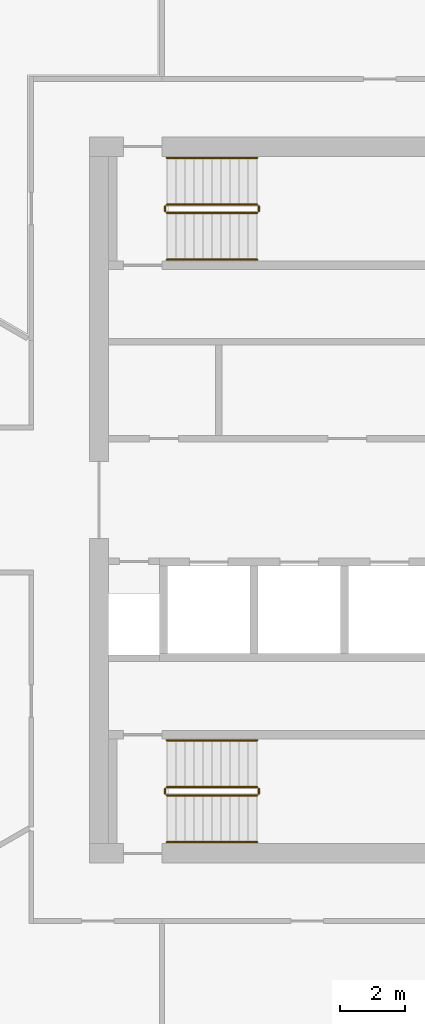
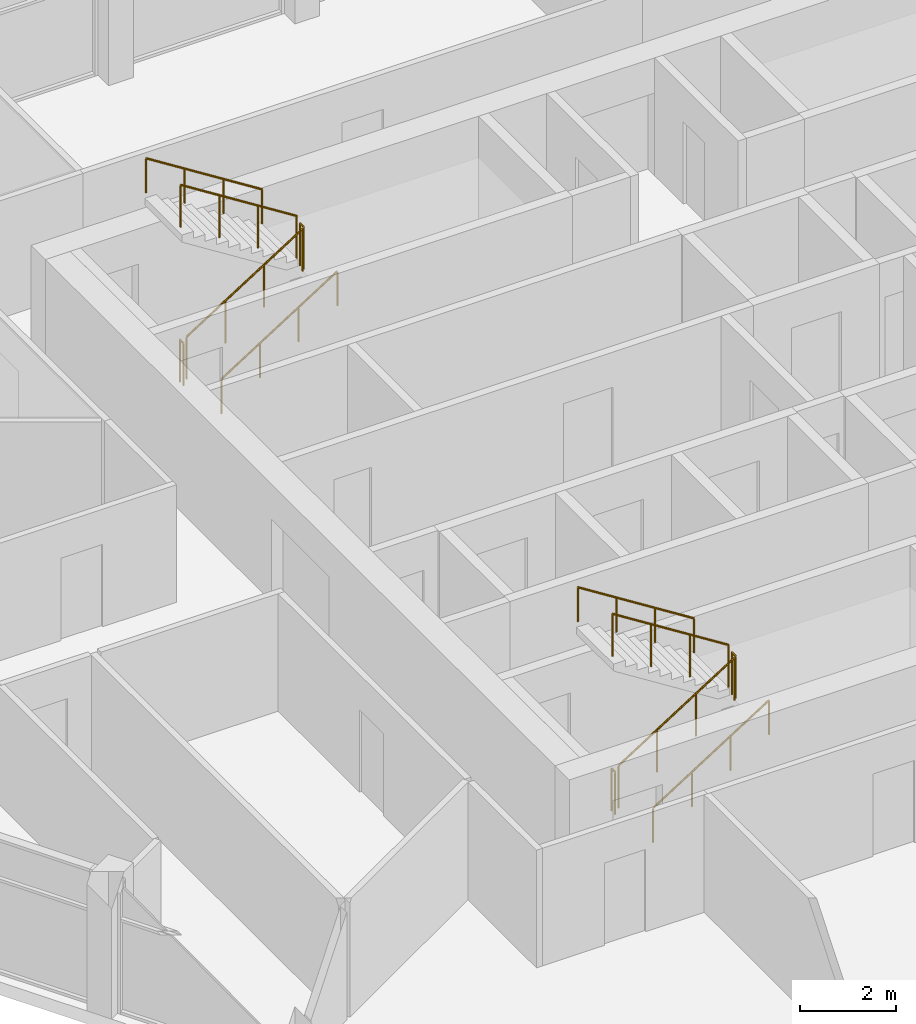
# One storey, part 13 of 15: 12 railings.
"""IFC4 building model written with IfcOpenShell, lengths in metres."""

import ifcopenshell
import ifcopenshell.guid

model = None  # the IFC model being written
_history = None  # IfcOwnerHistory: only IFC2X3 demands one
_inside = {}  # id of a spatial element -> (the spatial element, [elements in it])
_under = {}  # id of a project, library or spatial element -> (it, [spatial elements below it])
_declared = {}  # id of a project -> (the project, [libraries it declares])
_typed = {}  # id of a type object -> (the type object, [elements of that type])
_made_of = {}  # id of a material, layer set ... -> (it, [elements and type objects made of it])


def new_model(schema):
    """Start an empty IFC model of exactly this schema.

    Asked for "IFC4X3", IfcOpenShell would pick the latest addendum, in which some entities
    have other attributes; the version numbers below select the first issue.
    IFC2X3 requires an IfcOwnerHistory on every rooted entity: one is made here for all.
    """
    global model, _history
    if schema == "IFC4X3":
        model = ifcopenshell.file(schema_version=(4, 3, 0, 0))
    else:
        model = ifcopenshell.file(schema=schema)
    _inside.clear()
    _under.clear()
    _declared.clear()
    _typed.clear()
    _made_of.clear()
    _history = None
    if model.schema == "IFC2X3":
        org = make("IfcOrganization", Name="unknown")
        user = make(
            "IfcPersonAndOrganization",
            ThePerson=make("IfcPerson", FamilyName="unknown"),
            TheOrganization=org,
        )
        app = make(
            "IfcApplication",
            ApplicationDeveloper=org,
            Version="unknown",
            ApplicationFullName="unknown",
            ApplicationIdentifier="unknown",
        )
        _history = make(
            "IfcOwnerHistory",
            OwningUser=user,
            OwningApplication=app,
            ChangeAction="ADDED",
            CreationDate=0,
        )
    return model


def make(cls, **values):
    """One entity of the class cls with the attributes given. An attribute that is None is left unset."""
    return model.create_entity(
        cls, **{name: value for name, value in values.items() if value is not None}
    )


def rooted(cls, **values):
    """An entity with a GlobalId (a new one), such as an element, a storey or a relation."""
    return make(cls, GlobalId=ifcopenshell.guid.new(), OwnerHistory=_history, **values)


def si_unit(unit_type, name, prefix=None):
    """IfcSIUnit, for example si_unit("LENGTHUNIT", "METRE", prefix="MILLI")."""
    return make("IfcSIUnit", UnitType=unit_type, Prefix=prefix, Name=name)


def assignment(units):
    """IfcUnitAssignment: the units of a project."""
    return None if units is None else make("IfcUnitAssignment", Units=units)


def point(xyz):
    """IfcCartesianPoint."""
    return None if xyz is None else make("IfcCartesianPoint", Coordinates=xyz)


def direction(xyz):
    """IfcDirection."""
    return None if xyz is None else make("IfcDirection", DirectionRatios=xyz)


def frame(location, z_axis=None, x_axis=None):
    """IfcAxis2Placement3D, a coordinate frame: its origin and axes. An axis left out is left unset."""
    return make(
        "IfcAxis2Placement3D",
        Location=point(location),
        Axis=direction(z_axis),
        RefDirection=direction(x_axis),
    )


def frame_2d(location, x_axis=None):
    """IfcAxis2Placement2D, a coordinate frame in the plane: its origin and x axis."""
    return make(
        "IfcAxis2Placement2D", Location=point(location), RefDirection=direction(x_axis)
    )


def origin():
    """The frame at (0, 0, 0) with its axes left unset."""
    return frame((0.0, 0.0, 0.0))


def origin_2d():
    """The frame at (0, 0) in the plane with its x axis left unset."""
    return frame_2d((0.0, 0.0))


def place(relative_to, where):
    """IfcLocalPlacement: puts the frame where relative to a parent placement (None: the world)."""
    return make(
        "IfcLocalPlacement", PlacementRelTo=relative_to, RelativePlacement=where
    )


def context(
    kind, dimensions, precision=None, world=None, true_north=None, identifier=None
):
    """IfcGeometricRepresentationContext, for example the 3D "Model" context."""
    return make(
        "IfcGeometricRepresentationContext",
        ContextIdentifier=identifier,
        ContextType=kind,
        CoordinateSpaceDimension=dimensions,
        Precision=precision,
        WorldCoordinateSystem=world,
        TrueNorth=true_north,
    )


def subcontext(parent, identifier, kind, view, scale=None):
    """IfcGeometricRepresentationSubContext, for example "Body" below "Model"."""
    return make(
        "IfcGeometricRepresentationSubContext",
        ContextIdentifier=identifier,
        ContextType=kind,
        ParentContext=parent,
        TargetScale=scale,
        TargetView=view,
    )


def project(units=None, contexts=None):
    """IfcProject with its units and contexts."""
    return rooted(
        "IfcProject",
        Name="project",
        RepresentationContexts=contexts,
        UnitsInContext=assignment(units),
    )


def spatial(cls, under=None, at=None, **own):
    """A site, building, storey or space (cls), placed at a placement, below another one or the project."""
    s = rooted(cls, ObjectPlacement=at, **own)
    if under is not None:
        _under.setdefault(under.id(), (under, []))[1].append(s)
    return s


def profile(cls, at=None, kind="AREA", **sizes):
    """A parametric profile (cls). Its sizes go by their IFC names, for example OverallWidth=200.0."""
    return make(cls, ProfileType=kind, Position=at, **sizes)


def circle(**sizes):
    """IfcCircleProfileDef."""
    return profile("IfcCircleProfileDef", **sizes)


def extrude(swept, where, along, depth):
    """IfcExtrudedAreaSolid: the profile swept, set in the frame where, extruded along a direction by depth."""
    return make(
        "IfcExtrudedAreaSolid",
        SweptArea=swept,
        Position=where,
        ExtrudedDirection=direction(along),
        Depth=depth,
    )


def shape(context_of_items, identifier, shape_type, items):
    """IfcShapeRepresentation: the items that make up one representation, for example the "Body"."""
    return make(
        "IfcShapeRepresentation",
        ContextOfItems=context_of_items,
        RepresentationIdentifier=identifier,
        RepresentationType=shape_type,
        Items=items,
    )


def material(Name=None, Category=None):
    """IfcMaterial."""
    return make("IfcMaterial", Name=Name, Category=Category)


def made_of(thing, what):
    """Note that an element or type object is made of a material, layer set ...; save() writes the relation."""
    if what is not None:
        _made_of.setdefault(what.id(), (what, []))[1].append(thing)
    return thing


def type_object(cls, material=None, **own):
    """A type object (cls), such as IfcWallType, which elements share."""
    return made_of(rooted(cls, **own), material)


def element(
    cls,
    number,
    at=None,
    inside=None,
    cuts=None,
    type_object=None,
    material=None,
    context=None,
    identifier="Body",
    shape_type=None,
    held_by="IfcProductDefinitionShape",
    body=None,
    shapes=None,
    **own,
):
    """One element of the class cls, such as IfcWall. Its Tag is "e" and its number.

    at: its placement. inside: the storey or other place that contains it. cuts: it is an
    opening in that element (IfcRelVoidsElement). A single representation is given by context,
    identifier, shape_type and body (its items); several are given by shapes. held_by: the class
    of the entity that holds the representations. save() writes the other relations.
    """
    e = rooted(cls, Tag="e%d" % number, ObjectPlacement=at, **own)
    if body is not None:
        shapes = [shape(context, identifier, shape_type, body)]
    if shapes is not None:
        e.Representation = make(held_by, Representations=shapes)
    if inside is not None:
        _inside.setdefault(inside.id(), (inside, []))[1].append(e)
    if cuts is not None:
        rooted(
            "IfcRelVoidsElement", RelatingBuildingElement=cuts, RelatedOpeningElement=e
        )
    if type_object is not None:
        _typed.setdefault(type_object.id(), (type_object, []))[1].append(e)
    return made_of(e, material)


def aggregate(whole, parts):
    """IfcRelAggregates: a whole, such as a stair, and the parts it consists of."""
    return rooted("IfcRelAggregates", RelatingObject=whole, RelatedObjects=parts)


def save(model, path):
    """Write the relations noted so far, then the file.

    IfcRelAggregates (storeys below a building ...), IfcRelContainedInSpatialStructure (elements
    in a storey), IfcRelDefinesByType, IfcRelAssociatesMaterial and IfcRelDeclares: one each for
    every whole, place, type object, material and project.
    """
    for whole, parts in _under.values():
        aggregate(whole, parts)
    for where, things in _inside.values():
        rooted(
            "IfcRelContainedInSpatialStructure",
            RelatedElements=things,
            RelatingStructure=where,
        )
    for kind, things in _typed.values():
        rooted("IfcRelDefinesByType", RelatedObjects=things, RelatingType=kind)
    for what, things in _made_of.values():
        rooted("IfcRelAssociatesMaterial", RelatedObjects=things, RelatingMaterial=what)
    for by, libraries in _declared.values():
        rooted("IfcRelDeclares", RelatingContext=by, RelatedDefinitions=libraries)
    model.write(path)


model = new_model("IFC4")

# Units and contexts
model_context = context("Model", 3, precision=1e-05, world=origin(), true_north=direction((0.0, 1.0)))
body_context = subcontext(model_context, "Body", "Model", "MODEL_VIEW")
ifc_project = project(units=[si_unit("LENGTHUNIT", "METRE"), si_unit("AREAUNIT", "SQUARE_METRE"), si_unit("VOLUMEUNIT", "CUBIC_METRE"), si_unit("PLANEANGLEUNIT", "RADIAN"), si_unit("MASSUNIT", "GRAM", prefix="KILO")], contexts=[model_context])

# Site, building, storey
site_placement = place(None, origin())
site = spatial("IfcSite", under=ifc_project, at=site_placement, CompositionType="ELEMENT")
building_placement = place(site_placement, origin())
building = spatial("IfcBuilding", under=site, at=building_placement, Name="Dhurran Vertical Campus", CompositionType="ELEMENT")
storey_placement = place(building_placement, frame((0.0, 0.0, 306.0)))
storey = spatial("IfcBuildingStorey", under=building, at=storey_placement, Name="L76", CompositionType="ELEMENT", Elevation=306.0)

# Railings
ifc_material_1 = material(Name="Stainless steel balustrade", Category="steel")
railing_type_1 = type_object("IfcRailingType", Name="co-RL-GUARD-1100", PredefinedType="GUARDRAIL", material=ifc_material_1)
railing_1_placement = place(storey_placement, frame((-11.10009765625, 8.89990234375, 0.17724609375)))
element("IfcRailing", 1, at=railing_1_placement, inside=storey, type_object=railing_type_1, Name="L76 ST1 stair guard 1", PredefinedType="GUARDRAIL", context=body_context, shape_type="SweptSolid", body=[
    extrude(circle(Radius=0.02392578125, at=origin_2d()), frame((0.0, 0.0, 1.076171875), z_axis=(0.844908973607, 0.0, 0.534910110503), x_axis=(0.0, 1.0, 0.0)), (0.0, 0.0, 1.0), 3.31396484375),
    extrude(circle(Radius=0.02099609375, at=origin_2d()), origin(), (0.0, 0.0, 1.0), 1.052001953125),
    extrude(circle(Radius=0.02099609375, at=origin_2d()), frame((0.933349609375, 0.0, 0.5908203125)), (0.0, 0.0, 1.0), 1.052001953125),
    extrude(circle(Radius=0.02099609375, at=origin_2d()), frame((1.86669921875, 0.0, 1.181884765625)), (0.0, 0.0, 1.0), 1.052001953125),
    extrude(circle(Radius=0.02099609375, at=origin_2d()), frame((2.800048828125, 0.0, 1.772705078125)), (0.0, 0.0, 1.0), 1.052001953125),
])
railing_2_placement = place(storey_placement, frame((-8.25, 8.949951171875, 1.949951171875)))
element("IfcRailing", 2, at=railing_2_placement, inside=storey, type_object=railing_type_1, Name="L76 ST1 stair guard 2", PredefinedType="GUARDRAIL", context=body_context, shape_type="SweptSolid", body=[
    extrude(circle(Radius=0.02392578125, at=origin_2d()), frame((0.0, 0.0, 1.076171875), z_axis=(0.0, 1.0, 0.0), x_axis=(-1.0, 0.0, 0.0)), (0.0, 0.0, 1.0), 0.150146484375),
    extrude(circle(Radius=0.02099609375, at=origin_2d()), origin(), (0.0, 0.0, 1.0), 1.052001953125),
    extrude(circle(Radius=0.02099609375, at=origin_2d()), frame((0.0, 0.150146484375, 0.0)), (0.0, 0.0, 1.0), 1.052001953125),
])
railing_3_placement = place(storey_placement, frame((-8.300048828125, 9.14990234375, 2.127197265625)))
element("IfcRailing", 3, at=railing_3_placement, inside=storey, type_object=railing_type_1, Name="L76 ST1 stair guard 3", PredefinedType="GUARDRAIL", context=body_context, shape_type="SweptSolid", body=[
    extrude(circle(Radius=0.02392578125, at=origin_2d()), frame((0.0, 0.0, 1.076171875), z_axis=(-0.844908973607, 0.0, 0.534910110503), x_axis=(0.0, -1.0, 0.0)), (0.0, 0.0, 1.0), 3.31396484375),
    extrude(circle(Radius=0.02099609375, at=origin_2d()), origin(), (0.0, 0.0, 1.0), 1.052001953125),
    extrude(circle(Radius=0.02099609375, at=origin_2d()), frame((-0.933349609375, 0.0, 0.5908203125)), (0.0, 0.0, 1.0), 1.052001953125),
    extrude(circle(Radius=0.02099609375, at=origin_2d()), frame((-1.86669921875, 0.0, 1.181884765625)), (0.0, 0.0, 1.0), 1.052001953125),
    extrude(circle(Radius=0.02099609375, at=origin_2d()), frame((-2.800048828125, 0.0, 1.772705078125)), (0.0, 0.0, 1.0), 1.052001953125),
])
railing_4_placement = place(storey_placement, frame((-11.14990234375, 8.949951171875, 0.0)))
element("IfcRailing", 4, at=railing_4_placement, inside=storey, type_object=railing_type_1, Name="L76 ST1 stair guard 4", PredefinedType="GUARDRAIL", context=body_context, shape_type="SweptSolid", body=[
    extrude(circle(Radius=0.02392578125, at=origin_2d()), frame((0.0, 0.0, 1.076171875), z_axis=(0.0, 1.0, 0.0), x_axis=(-1.0, 0.0, 0.0)), (0.0, 0.0, 1.0), 0.150146484375),
    extrude(circle(Radius=0.02099609375, at=origin_2d()), origin(), (0.0, 0.0, 1.0), 1.052001953125),
    extrude(circle(Radius=0.02099609375, at=origin_2d()), frame((0.0, 0.150146484375, 0.0)), (0.0, 0.0, 1.0), 1.052001953125),
])
railing_5_placement = place(storey_placement, frame((-11.10009765625, -9.14990234375, 0.17724609375)))
element("IfcRailing", 5, at=railing_5_placement, inside=storey, type_object=railing_type_1, Name="L76 ST3 stair guard 1", PredefinedType="GUARDRAIL", context=body_context, shape_type="SweptSolid", body=[
    extrude(circle(Radius=0.02392578125, at=origin_2d()), frame((0.0, 0.0, 1.076171875), z_axis=(0.844908973607, 0.0, 0.534910110503), x_axis=(0.0, 1.0, 0.0)), (0.0, 0.0, 1.0), 3.31396484375),
    extrude(circle(Radius=0.02099609375, at=origin_2d()), origin(), (0.0, 0.0, 1.0), 1.052001953125),
    extrude(circle(Radius=0.02099609375, at=origin_2d()), frame((0.933349609375, 0.0, 0.5908203125)), (0.0, 0.0, 1.0), 1.052001953125),
    extrude(circle(Radius=0.02099609375, at=origin_2d()), frame((1.86669921875, 0.0, 1.181884765625)), (0.0, 0.0, 1.0), 1.052001953125),
    extrude(circle(Radius=0.02099609375, at=origin_2d()), frame((2.800048828125, 0.0, 1.772705078125)), (0.0, 0.0, 1.0), 1.052001953125),
])
railing_6_placement = place(storey_placement, frame((-8.25, -9.10009765625, 1.949951171875)))
element("IfcRailing", 6, at=railing_6_placement, inside=storey, type_object=railing_type_1, Name="L76 ST3 stair guard 2", PredefinedType="GUARDRAIL", context=body_context, shape_type="SweptSolid", body=[
    extrude(circle(Radius=0.02392578125, at=origin_2d()), frame((0.0, 0.0, 1.076171875), z_axis=(0.0, 1.0, 0.0), x_axis=(-1.0, 0.0, 0.0)), (0.0, 0.0, 1.0), 0.150146484375),
    extrude(circle(Radius=0.02099609375, at=origin_2d()), origin(), (0.0, 0.0, 1.0), 1.052001953125),
    extrude(circle(Radius=0.02099609375, at=origin_2d()), frame((0.0, 0.150146484375, 0.0)), (0.0, 0.0, 1.0), 1.052001953125),
])
railing_7_placement = place(storey_placement, frame((-8.300048828125, -8.89990234375, 2.127197265625)))
element("IfcRailing", 7, at=railing_7_placement, inside=storey, type_object=railing_type_1, Name="L76 ST3 stair guard 3", PredefinedType="GUARDRAIL", context=body_context, shape_type="SweptSolid", body=[
    extrude(circle(Radius=0.02392578125, at=origin_2d()), frame((0.0, 0.0, 1.076171875), z_axis=(-0.844908973607, 0.0, 0.534910110503), x_axis=(0.0, -1.0, 0.0)), (0.0, 0.0, 1.0), 3.31396484375),
    extrude(circle(Radius=0.02099609375, at=origin_2d()), origin(), (0.0, 0.0, 1.0), 1.052001953125),
    extrude(circle(Radius=0.02099609375, at=origin_2d()), frame((-0.933349609375, 0.0, 0.5908203125)), (0.0, 0.0, 1.0), 1.052001953125),
    extrude(circle(Radius=0.02099609375, at=origin_2d()), frame((-1.86669921875, 0.0, 1.181884765625)), (0.0, 0.0, 1.0), 1.052001953125),
    extrude(circle(Radius=0.02099609375, at=origin_2d()), frame((-2.800048828125, 0.0, 1.772705078125)), (0.0, 0.0, 1.0), 1.052001953125),
])
railing_8_placement = place(storey_placement, frame((-11.14990234375, -9.10009765625, 0.0)))
element("IfcRailing", 8, at=railing_8_placement, inside=storey, type_object=railing_type_1, Name="L76 ST3 stair guard 4", PredefinedType="GUARDRAIL", context=body_context, shape_type="SweptSolid", body=[
    extrude(circle(Radius=0.02392578125, at=origin_2d()), frame((0.0, 0.0, 1.076171875), z_axis=(0.0, 1.0, 0.0), x_axis=(-1.0, 0.0, 0.0)), (0.0, 0.0, 1.0), 0.150146484375),
    extrude(circle(Radius=0.02099609375, at=origin_2d()), origin(), (0.0, 0.0, 1.0), 1.052001953125),
    extrude(circle(Radius=0.02099609375, at=origin_2d()), frame((0.0, 0.150146484375, 0.0)), (0.0, 0.0, 1.0), 1.052001953125),
])
ifc_material_2 = material(Name="Stainless steel handrail", Category="steel")
railing_type_2 = type_object("IfcRailingType", Name="co-RL-HANDRAIL-900", PredefinedType="HANDRAIL", material=ifc_material_2)
railing_9_placement = place(storey_placement, frame((-11.10009765625, 7.449951171875, 0.17724609375)))
element("IfcRailing", 9, at=railing_9_placement, inside=storey, type_object=railing_type_2, Name="L76 ST1 stair handrail 1", PredefinedType="HANDRAIL", context=body_context, shape_type="SweptSolid", body=[
    extrude(circle(Radius=0.02392578125, at=origin_2d()), frame((0.0, 0.0, 0.8759765625), z_axis=(0.844908973607, 0.0, 0.534910110503), x_axis=(0.0, 1.0, 0.0)), (0.0, 0.0, 1.0), 3.31396484375),
    extrude(circle(Radius=0.02099609375, at=origin_2d()), origin(), (0.0, 0.0, 1.0), 0.851806640625),
    extrude(circle(Radius=0.02099609375, at=origin_2d()), frame((0.933349609375, 0.0, 0.5908203125)), (0.0, 0.0, 1.0), 0.851806640625),
    extrude(circle(Radius=0.02099609375, at=origin_2d()), frame((1.86669921875, 0.0, 1.181884765625)), (0.0, 0.0, 1.0), 0.851806640625),
    extrude(circle(Radius=0.02099609375, at=origin_2d()), frame((2.800048828125, 0.0, 1.772705078125)), (0.0, 0.0, 1.0), 0.851806640625),
])
railing_10_placement = place(storey_placement, frame((-8.300048828125, 10.60009765625, 2.127197265625)))
element("IfcRailing", 10, at=railing_10_placement, inside=storey, type_object=railing_type_2, Name="L76 ST1 stair handrail 2", PredefinedType="HANDRAIL", context=body_context, shape_type="SweptSolid", body=[
    extrude(circle(Radius=0.02392578125, at=origin_2d()), frame((0.0, 0.0, 0.8759765625), z_axis=(-0.844908973607, 0.0, 0.534910110503), x_axis=(0.0, -1.0, 0.0)), (0.0, 0.0, 1.0), 3.31396484375),
    extrude(circle(Radius=0.02099609375, at=origin_2d()), origin(), (0.0, 0.0, 1.0), 0.851806640625),
    extrude(circle(Radius=0.02099609375, at=origin_2d()), frame((-0.933349609375, 0.0, 0.5908203125)), (0.0, 0.0, 1.0), 0.851806640625),
    extrude(circle(Radius=0.02099609375, at=origin_2d()), frame((-1.86669921875, 0.0, 1.181884765625)), (0.0, 0.0, 1.0), 0.851806640625),
    extrude(circle(Radius=0.02099609375, at=origin_2d()), frame((-2.800048828125, 0.0, 1.772705078125)), (0.0, 0.0, 1.0), 0.851806640625),
])
railing_11_placement = place(storey_placement, frame((-11.10009765625, -10.60009765625, 0.17724609375)))
element("IfcRailing", 11, at=railing_11_placement, inside=storey, type_object=railing_type_2, Name="L76 ST3 stair handrail 1", PredefinedType="HANDRAIL", context=body_context, shape_type="SweptSolid", body=[
    extrude(circle(Radius=0.02392578125, at=origin_2d()), frame((0.0, 0.0, 0.8759765625), z_axis=(0.844908973607, 0.0, 0.534910110503), x_axis=(0.0, 1.0, 0.0)), (0.0, 0.0, 1.0), 3.31396484375),
    extrude(circle(Radius=0.02099609375, at=origin_2d()), origin(), (0.0, 0.0, 1.0), 0.851806640625),
    extrude(circle(Radius=0.02099609375, at=origin_2d()), frame((0.933349609375, 0.0, 0.5908203125)), (0.0, 0.0, 1.0), 0.851806640625),
    extrude(circle(Radius=0.02099609375, at=origin_2d()), frame((1.86669921875, 0.0, 1.181884765625)), (0.0, 0.0, 1.0), 0.851806640625),
    extrude(circle(Radius=0.02099609375, at=origin_2d()), frame((2.800048828125, 0.0, 1.772705078125)), (0.0, 0.0, 1.0), 0.851806640625),
])
railing_12_placement = place(storey_placement, frame((-8.300048828125, -7.449951171875, 2.127197265625)))
element("IfcRailing", 12, at=railing_12_placement, inside=storey, type_object=railing_type_2, Name="L76 ST3 stair handrail 2", PredefinedType="HANDRAIL", context=body_context, shape_type="SweptSolid", body=[
    extrude(circle(Radius=0.02392578125, at=origin_2d()), frame((0.0, 0.0, 0.8759765625), z_axis=(-0.844908973607, 0.0, 0.534910110503), x_axis=(0.0, -1.0, 0.0)), (0.0, 0.0, 1.0), 3.31396484375),
    extrude(circle(Radius=0.02099609375, at=origin_2d()), origin(), (0.0, 0.0, 1.0), 0.851806640625),
    extrude(circle(Radius=0.02099609375, at=origin_2d()), frame((-0.933349609375, 0.0, 0.5908203125)), (0.0, 0.0, 1.0), 0.851806640625),
    extrude(circle(Radius=0.02099609375, at=origin_2d()), frame((-1.86669921875, 0.0, 1.181884765625)), (0.0, 0.0, 1.0), 0.851806640625),
    extrude(circle(Radius=0.02099609375, at=origin_2d()), frame((-2.800048828125, 0.0, 1.772705078125)), (0.0, 0.0, 1.0), 0.851806640625),
])

save(model, "model.ifc")
